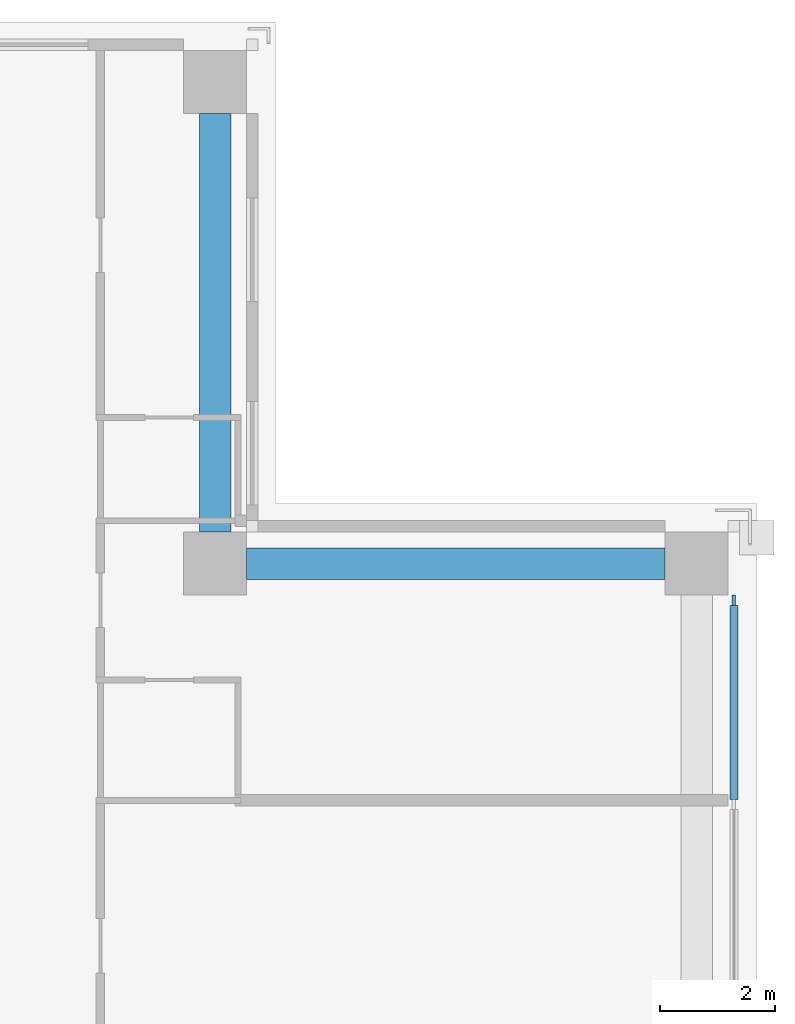
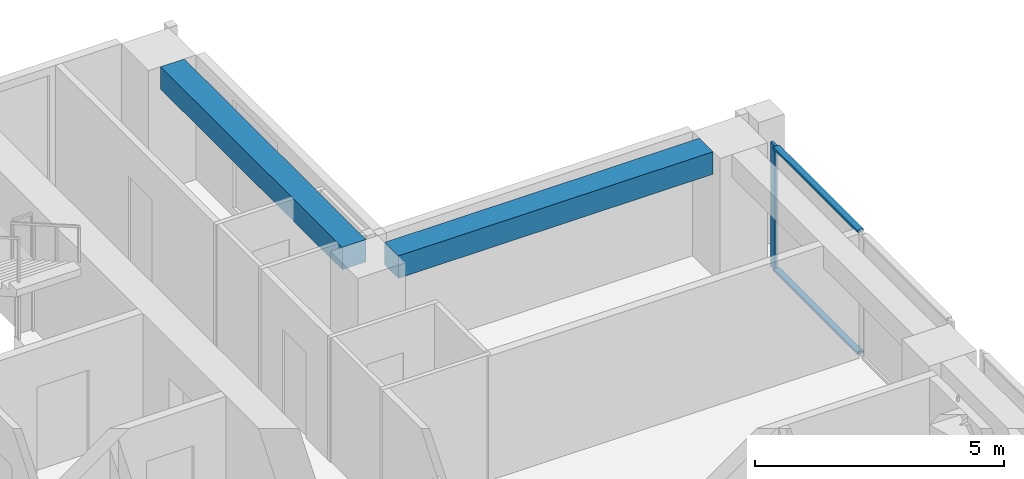
# One storey, part 7 of 16: 3 members, 2 beams, 1 element without a shape of its own.
"""IFC4 building model written with IfcOpenShell, lengths in metres."""

from ifc_helpers import new_model, si_unit, direction, frame, origin, origin_2d, place, context, subcontext, project, spatial, rectangle, extrude, material, material_profile, profile_set, type_object, element, aggregate, save


model = new_model("IFC4")

# Units and contexts
model_context = context("Model", 3, precision=1e-05, world=origin(), true_north=direction((0.0, 1.0)))
body_context = subcontext(model_context, "Body", "Model", "MODEL_VIEW")
ifc_project = project(units=[si_unit("LENGTHUNIT", "METRE"), si_unit("AREAUNIT", "SQUARE_METRE"), si_unit("VOLUMEUNIT", "CUBIC_METRE"), si_unit("PLANEANGLEUNIT", "RADIAN"), si_unit("MASSUNIT", "GRAM", prefix="KILO")], contexts=[model_context])

# Site, building, storey
site_placement = place(None, origin())
site = spatial("IfcSite", under=ifc_project, at=site_placement, CompositionType="ELEMENT")
building_placement = place(site_placement, origin())
building = spatial("IfcBuilding", under=site, at=building_placement, Name="Vermilion Ogive Tower", CompositionType="ELEMENT")
storey_placement = place(building_placement, frame((0.0, 0.0, 146.89990234375)))
storey = spatial("IfcBuildingStorey", under=building, at=storey_placement, Name="L37", CompositionType="ELEMENT", Elevation=146.89990234375)

# Curtain wall, members
ifc_material_1 = material(Name="Low-iron laminated glazing in aluminium frame", Category="aluminium")
curtain_wall_type = type_object("IfcCurtainWallType", Name="Curtain wall CW7", PredefinedType="NOTDEFINED", material=ifc_material_1)
curtain_wall_placement = place(storey_placement, origin())
curtain_wall = element("IfcCurtainWall", 1, at=curtain_wall_placement, inside=storey, type_object=curtain_wall_type, Name="Glazed skin E3", PredefinedType="NOTDEFINED")
ifc_material_2 = material(Name="Aluminium mullion", Category="aluminium")
ifc_material_profile_1 = material_profile(ifc_material_2, rectangle(XDim=0.06005859375, YDim=0.179931640625, at=origin_2d()), Name="AL 60x180")
ifc_profile_set_1 = profile_set([ifc_material_profile_1], Name="Aluminium mullion")
member_type_1 = type_object("IfcMemberType", Name="CW7 mullion 60x180", PredefinedType="MULLION", material=ifc_profile_set_1)
member_1_placement = place(storey_placement, frame((21.64990234375, 11.9599609375, 0.0), z_axis=(0.0, 0.0, 1.0), x_axis=(-1.0, 0.0, 0.0)))
member_1 = element("IfcMember", 2, at=member_1_placement, type_object=member_type_1, Name="CW7-E3 mullion 3", PredefinedType="MULLION", context=body_context, shape_type="SweptSolid", body=[
    extrude(rectangle(XDim=0.06005859375, YDim=0.179931640625, at=origin_2d()), origin(), (0.0, 0.0, 1.0), 3.050048828125),
])
ifc_material_3 = material(Name="Aluminium transom", Category="aluminium")
ifc_material_profile_2 = material_profile(ifc_material_3, rectangle(XDim=0.139892578125, YDim=0.06005859375, at=origin_2d()), Name="AL 60x140")
ifc_profile_set_2 = profile_set([ifc_material_profile_2], Name="Aluminium transom")
member_type_2 = type_object("IfcMemberType", Name="CW7 transom 60x140", PredefinedType="USERDEFINED", material=ifc_profile_set_2)
member_2_placement = place(storey_placement, frame((21.64990234375, 8.489990234375, 0.030029296875), z_axis=(0.0, 1.0, 0.0), x_axis=(-1.0, 0.0, 0.0)))
member_2 = element("IfcMember", 3, at=member_2_placement, type_object=member_type_2, Name="CW7-E3 transom 2.1", ObjectType="TRANSOM", PredefinedType="USERDEFINED", context=body_context, shape_type="SweptSolid", body=[
    extrude(rectangle(XDim=0.139892578125, YDim=0.06005859375, at=origin_2d()), origin(), (0.0, 0.0, 1.0), 3.380126953125),
])
member_3_placement = place(storey_placement, frame((21.64990234375, 8.489990234375, 3.02001953125), z_axis=(0.0, 1.0, 0.0), x_axis=(-1.0, 0.0, 0.0)))
member_3 = element("IfcMember", 4, at=member_3_placement, type_object=member_type_2, Name="CW7-E3 transom 2.2", ObjectType="TRANSOM", PredefinedType="USERDEFINED", context=body_context, shape_type="SweptSolid", body=[
    extrude(rectangle(XDim=0.139892578125, YDim=0.06005859375, at=origin_2d()), origin(), (0.0, 0.0, 1.0), 3.380126953125),
])
aggregate(curtain_wall, [member_1, member_2, member_3])

# Beams
ifc_material_4 = material(Name="Concrete B45", Category="concrete")
ifc_material_profile_3 = material_profile(ifc_material_4, rectangle(XDim=0.550048828125, YDim=0.550048828125, at=origin_2d()), Name="550 x 550")
ifc_profile_set_3 = profile_set([ifc_material_profile_3], Name="Concrete B45")
beam_type = type_object("IfcBeamType", Name="Edge beam 550 x 550 B45", PredefinedType="BEAM", material=ifc_profile_set_3)
for number, where, z_axis, x_axis, name in (
    (5, (20.449951171875, 12.60009765625, 2.775146484375), (-1.0, 0.0, 0.0), (0.0, -1.0, 0.0), "L37-EB-9"),
    (6, (12.60009765625, 13.14990234375, 2.775146484375), (0.0, 1.0, 0.0), (-1.0, 0.0, 0.0), "L37-EB-10"),
):
    element("IfcBeam", number, at=place(storey_placement, frame(where, z_axis=z_axis, x_axis=x_axis)), inside=storey, type_object=beam_type, Name=name, PredefinedType="BEAM", context=body_context, shape_type="SweptSolid", body=[
        extrude(rectangle(XDim=0.550048828125, YDim=0.550048828125, at=origin_2d()), origin(), (0.0, 0.0, 1.0), 7.300048828125),
    ])

save(model, "model.ifc")
